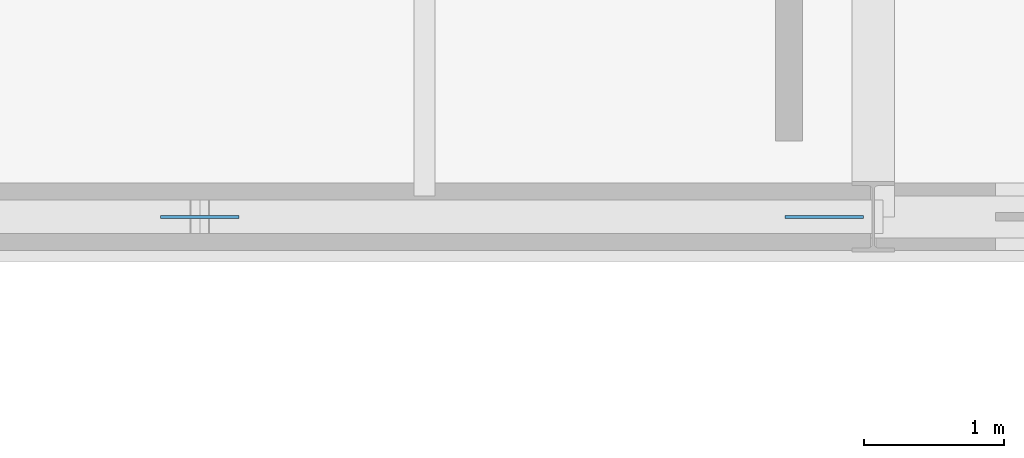
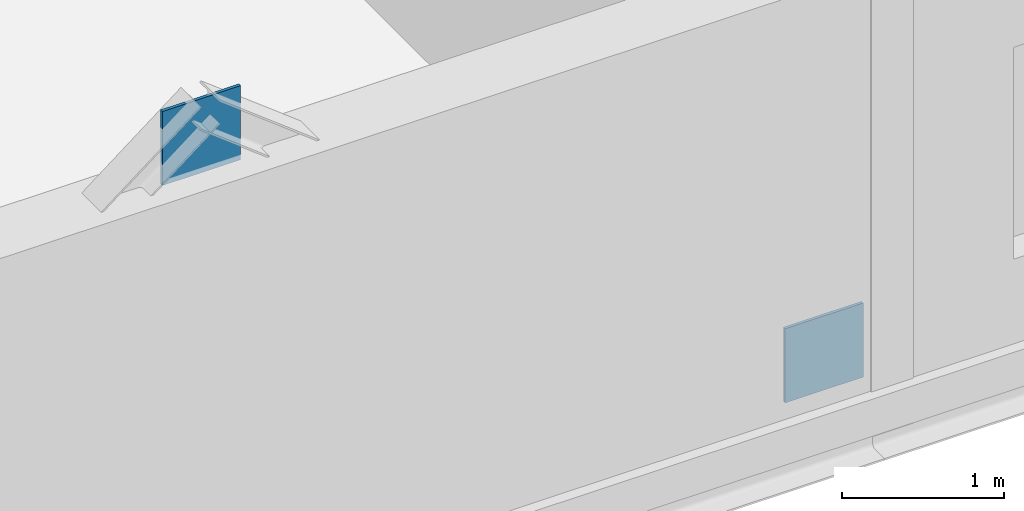
# One storey, part 58 of 78: 2 plates.
"""IFC4 building model written with IfcOpenShell, lengths in metres."""

import ifcopenshell
import ifcopenshell.guid

model = None  # the IFC model being written
_history = None  # IfcOwnerHistory: only IFC2X3 demands one
_inside = {}  # id of a spatial element -> (the spatial element, [elements in it])
_under = {}  # id of a project, library or spatial element -> (it, [spatial elements below it])
_declared = {}  # id of a project -> (the project, [libraries it declares])
_typed = {}  # id of a type object -> (the type object, [elements of that type])
_made_of = {}  # id of a material, layer set ... -> (it, [elements and type objects made of it])


def new_model(schema):
    """Start an empty IFC model of exactly this schema.

    Asked for "IFC4X3", IfcOpenShell would pick the latest addendum, in which some entities
    have other attributes; the version numbers below select the first issue.
    IFC2X3 requires an IfcOwnerHistory on every rooted entity: one is made here for all.
    """
    global model, _history
    if schema == "IFC4X3":
        model = ifcopenshell.file(schema_version=(4, 3, 0, 0))
    else:
        model = ifcopenshell.file(schema=schema)
    _inside.clear()
    _under.clear()
    _declared.clear()
    _typed.clear()
    _made_of.clear()
    _history = None
    if model.schema == "IFC2X3":
        org = make("IfcOrganization", Name="unknown")
        user = make(
            "IfcPersonAndOrganization",
            ThePerson=make("IfcPerson", FamilyName="unknown"),
            TheOrganization=org,
        )
        app = make(
            "IfcApplication",
            ApplicationDeveloper=org,
            Version="unknown",
            ApplicationFullName="unknown",
            ApplicationIdentifier="unknown",
        )
        _history = make(
            "IfcOwnerHistory",
            OwningUser=user,
            OwningApplication=app,
            ChangeAction="ADDED",
            CreationDate=0,
        )
    return model


def make(cls, **values):
    """One entity of the class cls with the attributes given. An attribute that is None is left unset."""
    return model.create_entity(
        cls, **{name: value for name, value in values.items() if value is not None}
    )


def rooted(cls, **values):
    """An entity with a GlobalId (a new one), such as an element, a storey or a relation."""
    return make(cls, GlobalId=ifcopenshell.guid.new(), OwnerHistory=_history, **values)


def si_unit(unit_type, name, prefix=None):
    """IfcSIUnit, for example si_unit("LENGTHUNIT", "METRE", prefix="MILLI")."""
    return make("IfcSIUnit", UnitType=unit_type, Prefix=prefix, Name=name)


def assignment(units):
    """IfcUnitAssignment: the units of a project."""
    return None if units is None else make("IfcUnitAssignment", Units=units)


def point(xyz):
    """IfcCartesianPoint."""
    return None if xyz is None else make("IfcCartesianPoint", Coordinates=xyz)


def direction(xyz):
    """IfcDirection."""
    return None if xyz is None else make("IfcDirection", DirectionRatios=xyz)


def frame(location, z_axis=None, x_axis=None):
    """IfcAxis2Placement3D, a coordinate frame: its origin and axes. An axis left out is left unset."""
    return make(
        "IfcAxis2Placement3D",
        Location=point(location),
        Axis=direction(z_axis),
        RefDirection=direction(x_axis),
    )


def frame_2d(location, x_axis=None):
    """IfcAxis2Placement2D, a coordinate frame in the plane: its origin and x axis."""
    return make(
        "IfcAxis2Placement2D", Location=point(location), RefDirection=direction(x_axis)
    )


def origin():
    """The frame at (0, 0, 0) with its axes left unset."""
    return frame((0.0, 0.0, 0.0))


def origin_2d():
    """The frame at (0, 0) in the plane with its x axis left unset."""
    return frame_2d((0.0, 0.0))


def place(relative_to, where):
    """IfcLocalPlacement: puts the frame where relative to a parent placement (None: the world)."""
    return make(
        "IfcLocalPlacement", PlacementRelTo=relative_to, RelativePlacement=where
    )


def context(
    kind, dimensions, precision=None, world=None, true_north=None, identifier=None
):
    """IfcGeometricRepresentationContext, for example the 3D "Model" context."""
    return make(
        "IfcGeometricRepresentationContext",
        ContextIdentifier=identifier,
        ContextType=kind,
        CoordinateSpaceDimension=dimensions,
        Precision=precision,
        WorldCoordinateSystem=world,
        TrueNorth=true_north,
    )


def subcontext(parent, identifier, kind, view, scale=None):
    """IfcGeometricRepresentationSubContext, for example "Body" below "Model"."""
    return make(
        "IfcGeometricRepresentationSubContext",
        ContextIdentifier=identifier,
        ContextType=kind,
        ParentContext=parent,
        TargetScale=scale,
        TargetView=view,
    )


def project(units=None, contexts=None):
    """IfcProject with its units and contexts."""
    return rooted(
        "IfcProject",
        Name="project",
        RepresentationContexts=contexts,
        UnitsInContext=assignment(units),
    )


def spatial(cls, under=None, at=None, **own):
    """A site, building, storey or space (cls), placed at a placement, below another one or the project."""
    s = rooted(cls, ObjectPlacement=at, **own)
    if under is not None:
        _under.setdefault(under.id(), (under, []))[1].append(s)
    return s


def profile(cls, at=None, kind="AREA", **sizes):
    """A parametric profile (cls). Its sizes go by their IFC names, for example OverallWidth=200.0."""
    return make(cls, ProfileType=kind, Position=at, **sizes)


def rectangle(**sizes):
    """IfcRectangleProfileDef."""
    return profile("IfcRectangleProfileDef", **sizes)


def extrude(swept, where, along, depth):
    """IfcExtrudedAreaSolid: the profile swept, set in the frame where, extruded along a direction by depth."""
    return make(
        "IfcExtrudedAreaSolid",
        SweptArea=swept,
        Position=where,
        ExtrudedDirection=direction(along),
        Depth=depth,
    )


def shape(context_of_items, identifier, shape_type, items):
    """IfcShapeRepresentation: the items that make up one representation, for example the "Body"."""
    return make(
        "IfcShapeRepresentation",
        ContextOfItems=context_of_items,
        RepresentationIdentifier=identifier,
        RepresentationType=shape_type,
        Items=items,
    )


def material(Name=None, Category=None):
    """IfcMaterial."""
    return make("IfcMaterial", Name=Name, Category=Category)


def layer(
    of_material, thickness, ventilated=None, Name=None, Category=None, Priority=None
):
    """IfcMaterialLayer: one layer of a wall or slab, of a material (None: an air gap)."""
    return make(
        "IfcMaterialLayer",
        Material=of_material,
        LayerThickness=thickness,
        IsVentilated=ventilated,
        Name=Name,
        Category=Category,
        Priority=Priority,
    )


def layer_set(layers, Name=None):
    """IfcMaterialLayerSet."""
    return make("IfcMaterialLayerSet", MaterialLayers=layers, LayerSetName=Name)


def made_of(thing, what):
    """Note that an element or type object is made of a material, layer set ...; save() writes the relation."""
    if what is not None:
        _made_of.setdefault(what.id(), (what, []))[1].append(thing)
    return thing


def type_object(cls, material=None, **own):
    """A type object (cls), such as IfcWallType, which elements share."""
    return made_of(rooted(cls, **own), material)


def element(
    cls,
    number,
    at=None,
    inside=None,
    cuts=None,
    type_object=None,
    material=None,
    context=None,
    identifier="Body",
    shape_type=None,
    held_by="IfcProductDefinitionShape",
    body=None,
    shapes=None,
    **own,
):
    """One element of the class cls, such as IfcWall. Its Tag is "e" and its number.

    at: its placement. inside: the storey or other place that contains it. cuts: it is an
    opening in that element (IfcRelVoidsElement). A single representation is given by context,
    identifier, shape_type and body (its items); several are given by shapes. held_by: the class
    of the entity that holds the representations. save() writes the other relations.
    """
    e = rooted(cls, Tag="e%d" % number, ObjectPlacement=at, **own)
    if body is not None:
        shapes = [shape(context, identifier, shape_type, body)]
    if shapes is not None:
        e.Representation = make(held_by, Representations=shapes)
    if inside is not None:
        _inside.setdefault(inside.id(), (inside, []))[1].append(e)
    if cuts is not None:
        rooted(
            "IfcRelVoidsElement", RelatingBuildingElement=cuts, RelatedOpeningElement=e
        )
    if type_object is not None:
        _typed.setdefault(type_object.id(), (type_object, []))[1].append(e)
    return made_of(e, material)


def aggregate(whole, parts):
    """IfcRelAggregates: a whole, such as a stair, and the parts it consists of."""
    return rooted("IfcRelAggregates", RelatingObject=whole, RelatedObjects=parts)


def save(model, path):
    """Write the relations noted so far, then the file.

    IfcRelAggregates (storeys below a building ...), IfcRelContainedInSpatialStructure (elements
    in a storey), IfcRelDefinesByType, IfcRelAssociatesMaterial and IfcRelDeclares: one each for
    every whole, place, type object, material and project.
    """
    for whole, parts in _under.values():
        aggregate(whole, parts)
    for where, things in _inside.values():
        rooted(
            "IfcRelContainedInSpatialStructure",
            RelatedElements=things,
            RelatingStructure=where,
        )
    for kind, things in _typed.values():
        rooted("IfcRelDefinesByType", RelatedObjects=things, RelatingType=kind)
    for what, things in _made_of.values():
        rooted("IfcRelAssociatesMaterial", RelatedObjects=things, RelatingMaterial=what)
    for by, libraries in _declared.values():
        rooted("IfcRelDeclares", RelatingContext=by, RelatedDefinitions=libraries)
    model.write(path)


model = new_model("IFC4")

# Units and contexts
model_context = context("Model", 3, precision=1e-05, world=origin(), true_north=direction((0.0, 1.0)))
body_context = subcontext(model_context, "Body", "Model", "MODEL_VIEW")
ifc_project = project(units=[si_unit("LENGTHUNIT", "METRE"), si_unit("AREAUNIT", "SQUARE_METRE"), si_unit("VOLUMEUNIT", "CUBIC_METRE"), si_unit("PLANEANGLEUNIT", "RADIAN"), si_unit("MASSUNIT", "GRAM", prefix="KILO")], contexts=[model_context])

# Site, building, storey
site_placement = place(None, origin())
site = spatial("IfcSite", under=ifc_project, at=site_placement, CompositionType="ELEMENT")
building_placement = place(site_placement, origin())
building = spatial("IfcBuilding", under=site, at=building_placement, Name="Alderhovde Museum", CompositionType="ELEMENT")
storey_placement = place(building_placement, frame((0.0, 0.0, 4.5)))
storey = spatial("IfcBuildingStorey", under=building, at=storey_placement, Name="L01", CompositionType="ELEMENT", Elevation=4.5)

# Plates
ifc_material = material(Name="Steel S355J2", Category="steel")
ifc_layer = layer(ifc_material, 0.02197265625)
ifc_layer_set = layer_set([ifc_layer], Name="Steel S355J2")
plate_type = type_object("IfcPlateType", Name="PLT-GUSSET-22", PredefinedType="USERDEFINED", material=ifc_layer_set)
for number, where, z_axis, x_axis, name in (
    (1, (143.64990234375, 32.0, 0.02001953125), (0.0, 0.0, 1.0), (1.0, 0.0, 0.0), "L01 Brace End Gusset Plate BR-V5-S-BR"),
    (2, (139.199951171875, 32.0, 3.219970703125), (0.0, 0.0, 1.0), (1.0, 0.0, 0.0), "L01 Brace End Gusset Plate BR-V5-S-APX"),
):
    element("IfcPlate", number, at=place(storey_placement, frame(where, z_axis=z_axis, x_axis=x_axis)), inside=storey, type_object=plate_type, Name=name, ObjectType="GUSSET PLATE", PredefinedType="USERDEFINED", context=body_context, shape_type="SweptSolid", body=[
        extrude(rectangle(XDim=0.56005859375, YDim=0.02197265625, at=origin_2d()), origin(), (0.0, 0.0, 1.0), 0.56005859375),
    ])

save(model, "model.ifc")
